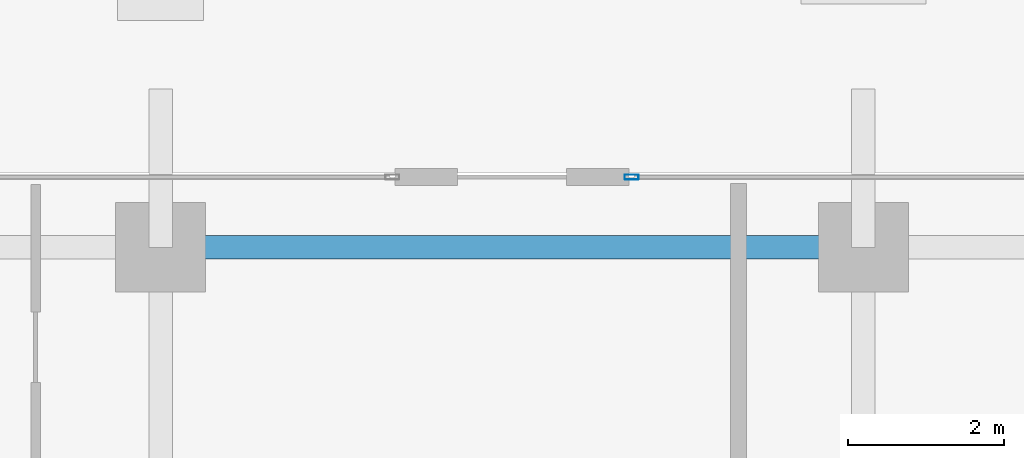
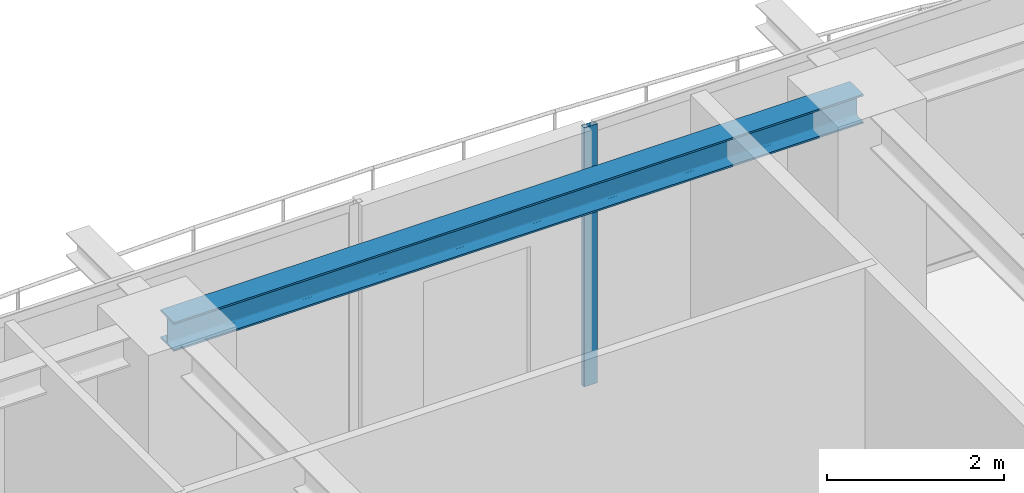
# One storey, part 22 of 38: 1 beam, 1 member, 1 element without a shape of its own.
"""IFC4 building model written with IfcOpenShell, lengths in metres."""

from ifc_helpers import new_model, si_unit, direction, frame, origin, origin_2d, place, context, subcontext, project, spatial, hollow_rectangle, i_section, extrude, source, transform, mapped, material, layer, layer_set, material_profile, profile_set, type_object, element, aggregate, save


model = new_model("IFC4")

# Units and contexts
model_context = context("Model", 3, precision=1e-05, world=origin(), true_north=direction((0.0, 1.0)))
body_context = subcontext(model_context, "Body", "Model", "MODEL_VIEW")
ifc_project = project(units=[si_unit("LENGTHUNIT", "METRE"), si_unit("AREAUNIT", "SQUARE_METRE"), si_unit("VOLUMEUNIT", "CUBIC_METRE"), si_unit("PLANEANGLEUNIT", "RADIAN"), si_unit("MASSUNIT", "GRAM", prefix="KILO")], contexts=[model_context])

# Site, building, storey
site_placement = place(None, origin())
site = spatial("IfcSite", under=ifc_project, at=site_placement, CompositionType="ELEMENT")
building_placement = place(site_placement, origin())
building = spatial("IfcBuilding", under=site, at=building_placement, Name="Serunith Strait Residences", CompositionType="ELEMENT")
storey_placement = place(building_placement, frame((0.0, 0.0, 237.39990234375)))
storey = spatial("IfcBuildingStorey", under=building, at=storey_placement, Name="L59", CompositionType="ELEMENT", Elevation=237.39990234375)

# Beam
ifc_material_1 = material(Name="Steel S355J2", Category="steel")
ifc_material_profile_1 = material_profile(ifc_material_1, i_section(OverallWidth=0.300048828125, OverallDepth=0.39990234375, WebThickness=0.013427734375, FlangeThickness=0.02392578125, FilletRadius=0.027099609375, at=origin_2d()), Name="HEB 400")
ifc_profile_set_1 = profile_set([ifc_material_profile_1], Name="Steel S355J2")
beam_type = type_object("IfcBeamType", Name="BM-HEB400", PredefinedType="BEAM", material=ifc_profile_set_1)
shared_shape_1 = source(origin(), body_context, "Body", "SweptSolid", [
    extrude(i_section(OverallWidth=0.300048828125, OverallDepth=0.39990234375, WebThickness=0.013427734375, FlangeThickness=0.02392578125, FilletRadius=0.027099609375, at=origin_2d()), origin(), (0.0, 0.0, 1.0), 9.0),
])
beam_placement = place(storey_placement, frame((36.89990234375, 48.300048828125, 3.38720703125), z_axis=(-1.0, 0.0, 0.0), x_axis=(0.0, -1.0, 0.0)))
element("IfcBeam", 1, at=beam_placement, inside=storey, type_object=beam_type, Name="L59 Perimeter Ring Beam 10", PredefinedType="BEAM", context=body_context, shape_type="MappedRepresentation", body=[
    mapped(shared_shape_1, transform((0.0, 0.0, 0.0), scale=1.0)),
])

# Curtain wall, member
ifc_material_2 = material(Name="Pale-Champagne Anodised Aluminium", Category="aluminium")
ifc_layer = layer(ifc_material_2, 0.199951171875, Name="Pale-Champagne Anodised Aluminium")
ifc_layer_set = layer_set([ifc_layer], Name="Pale-Champagne Anodised Aluminium")
curtain_wall_type = type_object("IfcCurtainWallType", Name="CW-SYS4", PredefinedType="NOTDEFINED", material=ifc_layer_set)
curtain_wall_placement = place(storey_placement, origin())
curtain_wall = element("IfcCurtainWall", 2, at=curtain_wall_placement, inside=storey, type_object=curtain_wall_type, Name="L59 N Unitised Fritted Curtain Wall", PredefinedType="NOTDEFINED")
ifc_material_profile_2 = material_profile(ifc_material_2, hollow_rectangle(XDim=0.06494140625, YDim=0.179931640625, WallThickness=0.00341796875, InnerFilletRadius=0.00537109375, OuterFilletRadius=0.0087890625, at=origin_2d()), Name="ALU 180x65x3.5")
ifc_profile_set_2 = profile_set([ifc_material_profile_2], Name="Pale-Champagne Anodised Aluminium")
member_type = type_object("IfcMemberType", Name="CW-SYS4-MULL", PredefinedType="MULLION", material=ifc_profile_set_2)
shared_shape_2 = source(origin(), body_context, "Body", "SweptSolid", [
    extrude(hollow_rectangle(XDim=0.06494140625, YDim=0.179931640625, WallThickness=0.00341796875, InnerFilletRadius=0.00537109375, OuterFilletRadius=0.0087890625, at=origin_2d()), origin(), (0.0, 0.0, 1.0), 3.5751953125),
])
member_placement = place(storey_placement, frame((33.9326171875, 49.199951171875, 0.0), z_axis=(0.0, 0.0, 1.0), x_axis=(0.0, -1.0, 0.0)))
member = element("IfcMember", 3, at=member_placement, type_object=member_type, Name="CW-4 mullion 3", PredefinedType="MULLION", context=body_context, shape_type="MappedRepresentation", body=[
    mapped(shared_shape_2, transform((0.0, 0.0, 0.0), scale=1.0)),
])
aggregate(curtain_wall, [member])

save(model, "model.ifc")
